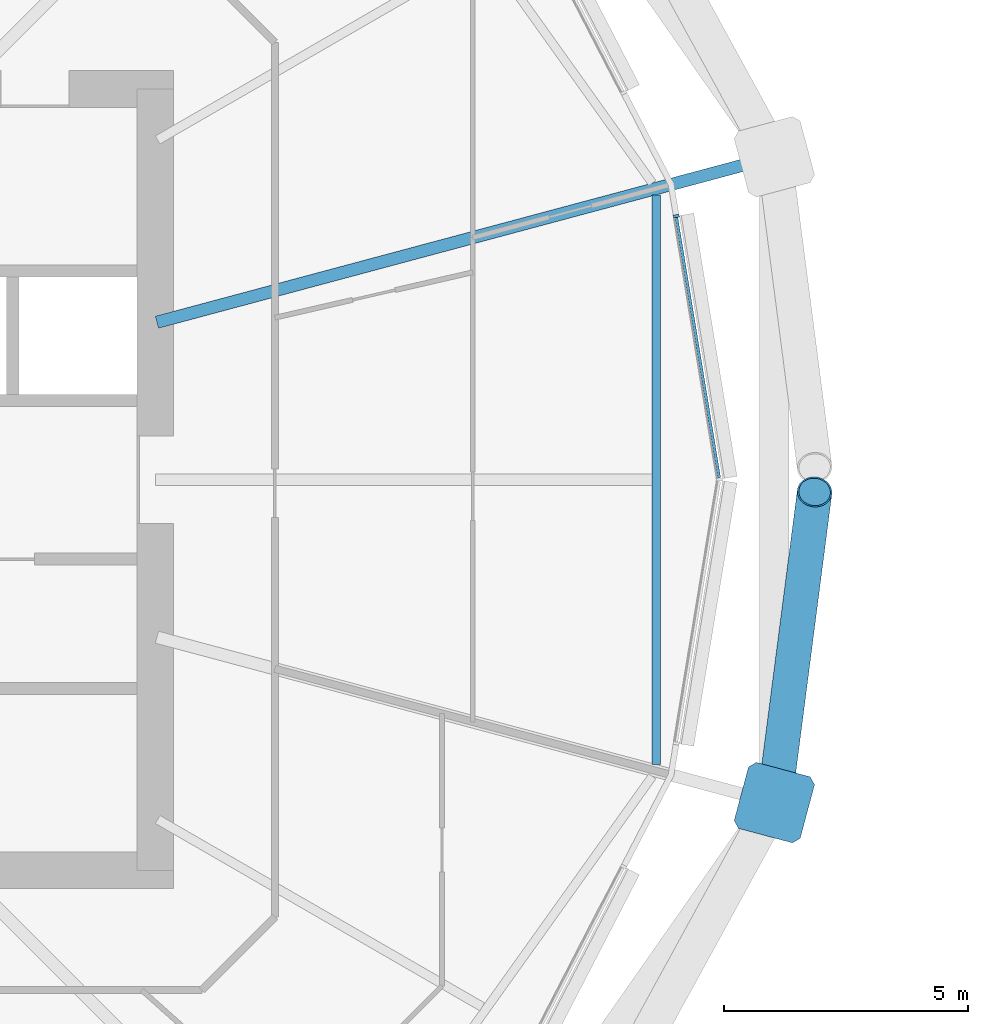
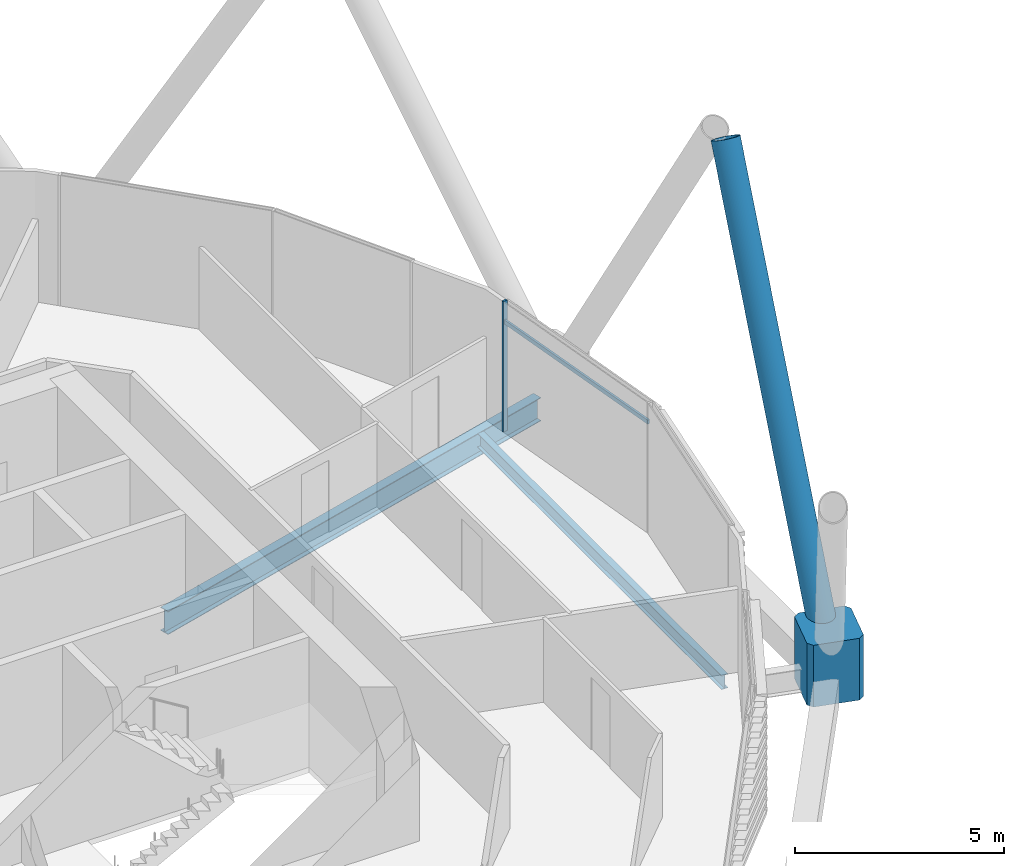
# One storey, part 8 of 38: 4 members, 2 beams, 1 element without a shape of its own.
"""IFC4 building model written with IfcOpenShell, lengths in metres."""

from ifc_helpers import new_model, si_unit, direction, frame, origin, origin_2d, place, context, subcontext, project, spatial, polyline, rectangle, hollow_circle, i_section, outline, extrude, material, material_profile, profile_set, type_object, element, aggregate, save


model = new_model("IFC4")

# Units and contexts
model_context = context("Model", 3, precision=1e-05, world=origin(), true_north=direction((0.0, 1.0)))
body_context = subcontext(model_context, "Body", "Model", "MODEL_VIEW")
ifc_project = project(units=[si_unit("LENGTHUNIT", "METRE"), si_unit("AREAUNIT", "SQUARE_METRE"), si_unit("VOLUMEUNIT", "CUBIC_METRE"), si_unit("PLANEANGLEUNIT", "RADIAN"), si_unit("MASSUNIT", "GRAM", prefix="KILO")], contexts=[model_context])

# Site, building, storey
site_placement = place(None, origin())
site = spatial("IfcSite", under=ifc_project, at=site_placement, CompositionType="ELEMENT")
building_placement = place(site_placement, origin())
building = spatial("IfcBuilding", under=site, at=building_placement, Name="Rimbun Link Towers", CompositionType="ELEMENT")
storey_placement = place(building_placement, frame((0.0, 0.0, 93.0)))
storey = spatial("IfcBuildingStorey", under=building, at=storey_placement, Name="L22", CompositionType="ELEMENT", Elevation=93.0)

# Curtain wall, members
ifc_material_1 = material(Name="Aluminium 6063-T6 and low-iron glass", Category="aluminium")
curtain_wall_type = type_object("IfcCurtainWallType", Name="CW1-Z2 unitised vision wall (zone 2)", PredefinedType="NOTDEFINED", material=ifc_material_1)
curtain_wall_placement = place(storey_placement, origin())
curtain_wall = element("IfcCurtainWall", 1, at=curtain_wall_placement, inside=storey, type_object=curtain_wall_type, Name="CW1 L22 T1", PredefinedType="NOTDEFINED")
ifc_material_2 = material(Name="Aluminium 6063-T6", Category="aluminium")
ifc_material_profile_1 = material_profile(ifc_material_2, rectangle(XDim=0.1201171875, YDim=0.06005859375, at=origin_2d()), Name="MULLION 60X120")
ifc_profile_set_1 = profile_set([ifc_material_profile_1], Name="Aluminium 6063-T6")
member_type_1 = type_object("IfcMemberType", Name="CW1 mullion 60X120", PredefinedType="MULLION", material=ifc_profile_set_1)
member_1_placement = place(storey_placement, frame((-9.08251953125, 5.39794921875, 0.0), z_axis=(0.0, 0.0, 1.0), x_axis=(0.986748097792, 0.162259642251, 0.0)))
member_1 = element("IfcMember", 2, at=member_1_placement, type_object=member_type_1, Name="CW1 mullion", PredefinedType="MULLION", context=body_context, shape_type="SweptSolid", body=[
    extrude(rectangle(XDim=0.1201171875, YDim=0.06005859375, at=origin_2d()), origin(), (0.0, 0.0, 1.0), 3.800048828125),
])
ifc_material_3 = material(Name="Aluminium 6063-T6", Category="aluminium")
ifc_material_profile_2 = material_profile(ifc_material_3, rectangle(XDim=0.06005859375, YDim=0.1201171875, at=origin_2d()), Name="TRANSOM 60X120")
ifc_profile_set_2 = profile_set([ifc_material_profile_2], Name="Aluminium 6063-T6")
member_type_2 = type_object("IfcMemberType", Name="CW1 transom 60X120", PredefinedType="USERDEFINED", material=ifc_profile_set_2)
member_2_placement = place(storey_placement, frame((-9.07958984375, 5.367919921875, 3.199951171875), z_axis=(0.162250618428, -0.986749581616, 0.0), x_axis=(0.986749581616, 0.162250618428, 0.0)))
member_2 = element("IfcMember", 3, at=member_2_placement, type_object=member_type_2, Name="CW1 transom", ObjectType="TRANSOM", PredefinedType="USERDEFINED", context=body_context, shape_type="SweptSolid", body=[
    extrude(rectangle(XDim=0.06005859375, YDim=0.1201171875, at=origin_2d()), origin(), (0.0, 0.0, 1.0), 5.400390625),
])
aggregate(curtain_wall, [member_1, member_2])

# Members
ifc_material_4 = material(Name="Steel S460NH", Category="steel")
ifc_material_profile_3 = material_profile(ifc_material_4, hollow_circle(Radius=0.355712890625, WallThickness=0.031982421875, at=origin_2d()), Name="Diagrid diagonal CHS 711x32")
ifc_profile_set_3 = profile_set([ifc_material_profile_3], Name="Steel S460NH")
member_type_3 = type_object("IfcMemberType", Name="Diagrid diagonal CHS 711x32", PredefinedType="BRACE", material=ifc_profile_set_3)
member_3_placement = place(storey_placement, frame((-7.04150390625, -6.361572265625, 0.431640625), z_axis=(0.064862369414, 0.500658288981, 0.863211533003), x_axis=(-0.991712044265, 0.12848043143, 0.0)))
element("IfcMember", 4, at=member_3_placement, inside=storey, type_object=member_type_3, Name="Diagrid diagonal T1 L22-L25 23b", PredefinedType="BRACE", context=body_context, shape_type="SweptSolid", body=[
    extrude(hollow_circle(Radius=0.355712890625, WallThickness=0.031982421875, at=origin_2d()), origin(), (0.0, 0.0, 1.0), 12.20654296875),
])
ifc_material_5 = material(Name="Cast steel G20Mn5+QT, Rp0.2 300 MPa", Category="steel")
ifc_material_profile_4 = material_profile(ifc_material_5, outline(polyline([(0.699951171875, -0.570068359375), (0.699951171875, 0.570068359375), (0.570068359375, 0.699951171875), (-0.570068359375, 0.699951171875), (-0.699951171875, 0.570068359375), (-0.699951171875, -0.570068359375), (-0.570068359375, -0.699951171875), (0.570068359375, -0.699951171875), (0.699951171875, -0.570068359375)])), Name="NODE 1400x1400")
ifc_profile_set_4 = profile_set([ifc_material_profile_4], Name="Cast steel G20Mn5+QT, Rp0.2 300 MPa")
member_type_4 = type_object("IfcMemberType", Name="Diagrid node cast 1400", PredefinedType="USERDEFINED", material=ifc_profile_set_4)
member_4_placement = place(storey_placement, frame((-7.073974609375, -6.61181640625, -0.89990234375), z_axis=(0.0, 0.0, 1.0), x_axis=(0.965925826289, -0.258819045103, 0.0)))
element("IfcMember", 5, at=member_4_placement, inside=storey, type_object=member_type_4, Name="Diagrid node L22 23", ObjectType="Diagrid node", PredefinedType="USERDEFINED", context=body_context, shape_type="SweptSolid", body=[
    extrude(outline(polyline([(0.699951171875, -0.570068359375), (0.699951171875, 0.570068359375), (0.570068359375, 0.699951171875), (-0.570068359375, 0.699951171875), (-0.699951171875, 0.570068359375), (-0.699951171875, -0.570068359375), (-0.570068359375, -0.699951171875), (0.570068359375, -0.699951171875), (0.699951171875, -0.570068359375)])), origin(), (0.0, 0.0, 1.0), 1.7998046875),
])

# Beams
ifc_material_6 = material(Name="Steel S355J2", Category="steel")
ifc_material_profile_5 = material_profile(ifc_material_6, i_section(OverallWidth=0.177978515625, OverallDepth=0.406494140625, WebThickness=0.0078125, FlangeThickness=0.0126953125, at=origin_2d()), Name="UB 406x178x60")
ifc_profile_set_5 = profile_set([ifc_material_profile_5], Name="Steel S355J2")
beam_type_1 = type_object("IfcBeamType", Name="UB 406x178x60", PredefinedType="BEAM", material=ifc_profile_set_5)
beam_1_placement = place(storey_placement, frame((-9.494384765625, -5.8310546875, -0.36328125), z_axis=(0.0, 1.0, 0.0), x_axis=(-1.0, 0.0, 0.0)))
element("IfcBeam", 6, at=beam_1_placement, inside=storey, type_object=beam_type_1, Name="Edge beam T1 L22 23-01", PredefinedType="BEAM", context=body_context, shape_type="SweptSolid", body=[
    extrude(i_section(OverallWidth=0.177978515625, OverallDepth=0.406494140625, WebThickness=0.0078125, FlangeThickness=0.0126953125, at=origin_2d()), origin(), (0.0, 0.0, 1.0), 11.662109375),
])
ifc_material_7 = material(Name="Steel S355J2", Category="steel")
ifc_material_profile_6 = material_profile(ifc_material_7, i_section(OverallWidth=0.253662109375, OverallDepth=0.68359375, WebThickness=0.012451171875, FlangeThickness=0.01904296875, at=origin_2d()), Name="UB 686x254x140")
ifc_profile_set_6 = profile_set([ifc_material_profile_6], Name="Steel S355J2")
beam_type_2 = type_object("IfcBeamType", Name="UB 686x254x140", PredefinedType="BEAM", material=ifc_profile_set_6)
beam_2_placement = place(storey_placement, frame((-19.71630859375, 3.224365234375, -0.501708984375), z_axis=(0.965926842192, 0.25881525367, 0.0), x_axis=(-0.25881525367, 0.965926842192, 0.0)))
element("IfcBeam", 7, at=beam_2_placement, inside=storey, type_object=beam_type_2, Name="Radial beam T1 L22 01", PredefinedType="BEAM", context=body_context, shape_type="SweptSolid", body=[
    extrude(i_section(OverallWidth=0.253662109375, OverallDepth=0.68359375, WebThickness=0.012451171875, FlangeThickness=0.01904296875, at=origin_2d()), origin(), (0.0, 0.0, 1.0), 12.58837890625),
])

save(model, "model.ifc")
